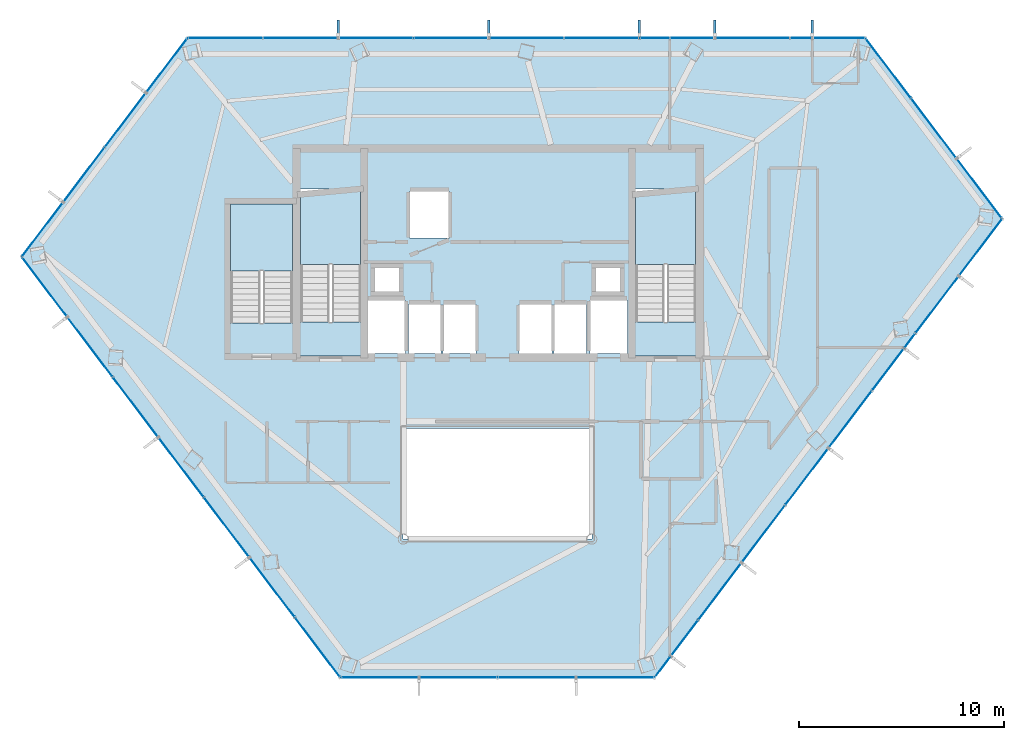
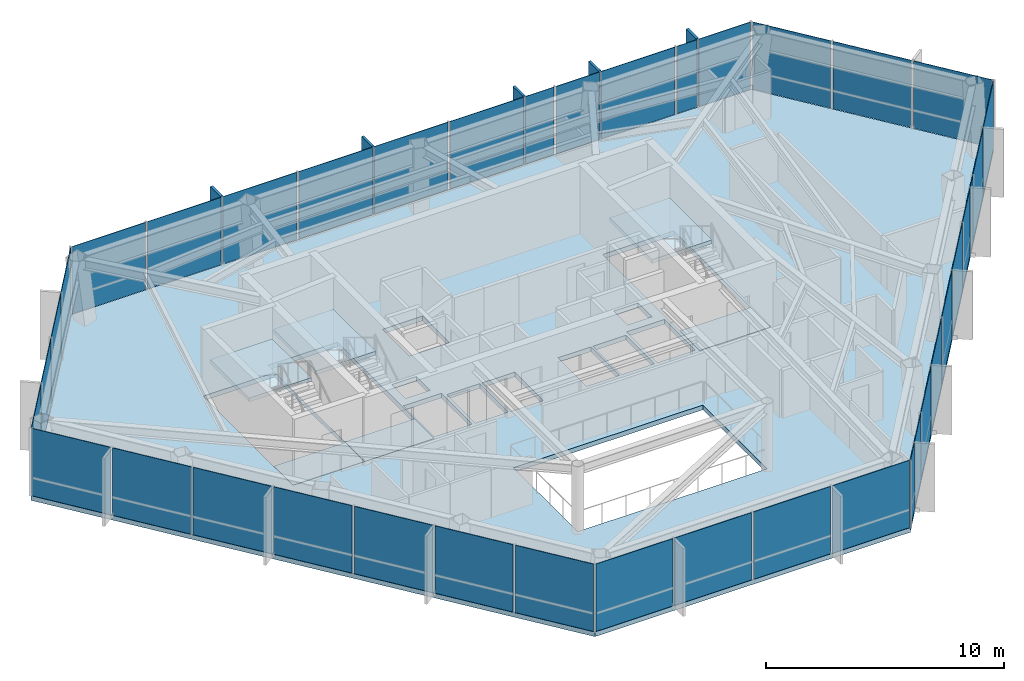
# One storey, part 23 of 27: 39 plates, 7 slabs, 5 members, 9 elements without a shape of their own.
"""IFC4 building model written with IfcOpenShell, lengths in metres."""

import ifcopenshell
import ifcopenshell.guid

model = None  # the IFC model being written
_history = None  # IfcOwnerHistory: only IFC2X3 demands one
_inside = {}  # id of a spatial element -> (the spatial element, [elements in it])
_under = {}  # id of a project, library or spatial element -> (it, [spatial elements below it])
_declared = {}  # id of a project -> (the project, [libraries it declares])
_typed = {}  # id of a type object -> (the type object, [elements of that type])
_made_of = {}  # id of a material, layer set ... -> (it, [elements and type objects made of it])


def new_model(schema):
    """Start an empty IFC model of exactly this schema.

    Asked for "IFC4X3", IfcOpenShell would pick the latest addendum, in which some entities
    have other attributes; the version numbers below select the first issue.
    IFC2X3 requires an IfcOwnerHistory on every rooted entity: one is made here for all.
    """
    global model, _history
    if schema == "IFC4X3":
        model = ifcopenshell.file(schema_version=(4, 3, 0, 0))
    else:
        model = ifcopenshell.file(schema=schema)
    _inside.clear()
    _under.clear()
    _declared.clear()
    _typed.clear()
    _made_of.clear()
    _history = None
    if model.schema == "IFC2X3":
        org = make("IfcOrganization", Name="unknown")
        user = make(
            "IfcPersonAndOrganization",
            ThePerson=make("IfcPerson", FamilyName="unknown"),
            TheOrganization=org,
        )
        app = make(
            "IfcApplication",
            ApplicationDeveloper=org,
            Version="unknown",
            ApplicationFullName="unknown",
            ApplicationIdentifier="unknown",
        )
        _history = make(
            "IfcOwnerHistory",
            OwningUser=user,
            OwningApplication=app,
            ChangeAction="ADDED",
            CreationDate=0,
        )
    return model


def make(cls, **values):
    """One entity of the class cls with the attributes given. An attribute that is None is left unset."""
    return model.create_entity(
        cls, **{name: value for name, value in values.items() if value is not None}
    )


def rooted(cls, **values):
    """An entity with a GlobalId (a new one), such as an element, a storey or a relation."""
    return make(cls, GlobalId=ifcopenshell.guid.new(), OwnerHistory=_history, **values)


def si_unit(unit_type, name, prefix=None):
    """IfcSIUnit, for example si_unit("LENGTHUNIT", "METRE", prefix="MILLI")."""
    return make("IfcSIUnit", UnitType=unit_type, Prefix=prefix, Name=name)


def assignment(units):
    """IfcUnitAssignment: the units of a project."""
    return None if units is None else make("IfcUnitAssignment", Units=units)


def point(xyz):
    """IfcCartesianPoint."""
    return None if xyz is None else make("IfcCartesianPoint", Coordinates=xyz)


def direction(xyz):
    """IfcDirection."""
    return None if xyz is None else make("IfcDirection", DirectionRatios=xyz)


def frame(location, z_axis=None, x_axis=None):
    """IfcAxis2Placement3D, a coordinate frame: its origin and axes. An axis left out is left unset."""
    return make(
        "IfcAxis2Placement3D",
        Location=point(location),
        Axis=direction(z_axis),
        RefDirection=direction(x_axis),
    )


def frame_2d(location, x_axis=None):
    """IfcAxis2Placement2D, a coordinate frame in the plane: its origin and x axis."""
    return make(
        "IfcAxis2Placement2D", Location=point(location), RefDirection=direction(x_axis)
    )


def origin():
    """The frame at (0, 0, 0) with its axes left unset."""
    return frame((0.0, 0.0, 0.0))


def origin_2d():
    """The frame at (0, 0) in the plane with its x axis left unset."""
    return frame_2d((0.0, 0.0))


def place(relative_to, where):
    """IfcLocalPlacement: puts the frame where relative to a parent placement (None: the world)."""
    return make(
        "IfcLocalPlacement", PlacementRelTo=relative_to, RelativePlacement=where
    )


def context(
    kind, dimensions, precision=None, world=None, true_north=None, identifier=None
):
    """IfcGeometricRepresentationContext, for example the 3D "Model" context."""
    return make(
        "IfcGeometricRepresentationContext",
        ContextIdentifier=identifier,
        ContextType=kind,
        CoordinateSpaceDimension=dimensions,
        Precision=precision,
        WorldCoordinateSystem=world,
        TrueNorth=true_north,
    )


def subcontext(parent, identifier, kind, view, scale=None):
    """IfcGeometricRepresentationSubContext, for example "Body" below "Model"."""
    return make(
        "IfcGeometricRepresentationSubContext",
        ContextIdentifier=identifier,
        ContextType=kind,
        ParentContext=parent,
        TargetScale=scale,
        TargetView=view,
    )


def project(units=None, contexts=None):
    """IfcProject with its units and contexts."""
    return rooted(
        "IfcProject",
        Name="project",
        RepresentationContexts=contexts,
        UnitsInContext=assignment(units),
    )


def spatial(cls, under=None, at=None, **own):
    """A site, building, storey or space (cls), placed at a placement, below another one or the project."""
    s = rooted(cls, ObjectPlacement=at, **own)
    if under is not None:
        _under.setdefault(under.id(), (under, []))[1].append(s)
    return s


def polyline(points):
    """IfcPolyline through the points."""
    return make("IfcPolyline", Points=[point(p) for p in points])


def profile(cls, at=None, kind="AREA", **sizes):
    """A parametric profile (cls). Its sizes go by their IFC names, for example OverallWidth=200.0."""
    return make(cls, ProfileType=kind, Position=at, **sizes)


def rectangle(**sizes):
    """IfcRectangleProfileDef."""
    return profile("IfcRectangleProfileDef", **sizes)


def outline(outer, holes=None, kind="AREA"):
    """IfcArbitraryClosedProfileDef: a profile drawn as a closed curve; with holes, ...WithVoids."""
    if holes is None:
        return make("IfcArbitraryClosedProfileDef", ProfileType=kind, OuterCurve=outer)
    return make(
        "IfcArbitraryProfileDefWithVoids",
        ProfileType=kind,
        OuterCurve=outer,
        InnerCurves=holes,
    )


def extrude(swept, where, along, depth):
    """IfcExtrudedAreaSolid: the profile swept, set in the frame where, extruded along a direction by depth."""
    return make(
        "IfcExtrudedAreaSolid",
        SweptArea=swept,
        Position=where,
        ExtrudedDirection=direction(along),
        Depth=depth,
    )


def shape(context_of_items, identifier, shape_type, items):
    """IfcShapeRepresentation: the items that make up one representation, for example the "Body"."""
    return make(
        "IfcShapeRepresentation",
        ContextOfItems=context_of_items,
        RepresentationIdentifier=identifier,
        RepresentationType=shape_type,
        Items=items,
    )


def material(Name=None, Category=None):
    """IfcMaterial."""
    return make("IfcMaterial", Name=Name, Category=Category)


def layer(
    of_material, thickness, ventilated=None, Name=None, Category=None, Priority=None
):
    """IfcMaterialLayer: one layer of a wall or slab, of a material (None: an air gap)."""
    return make(
        "IfcMaterialLayer",
        Material=of_material,
        LayerThickness=thickness,
        IsVentilated=ventilated,
        Name=Name,
        Category=Category,
        Priority=Priority,
    )


def layer_set(layers, Name=None):
    """IfcMaterialLayerSet."""
    return make("IfcMaterialLayerSet", MaterialLayers=layers, LayerSetName=Name)


def material_profile(
    of_material, cross_section, Name=None, Category=None, Priority=None
):
    """IfcMaterialProfile: a cross section and its material."""
    return make(
        "IfcMaterialProfile",
        Name=Name,
        Material=of_material,
        Profile=cross_section,
        Priority=Priority,
        Category=Category,
    )


def profile_set(profiles, Name=None, composite=None):
    """IfcMaterialProfileSet."""
    return make(
        "IfcMaterialProfileSet",
        Name=Name,
        MaterialProfiles=profiles,
        CompositeProfile=composite,
    )


def made_of(thing, what):
    """Note that an element or type object is made of a material, layer set ...; save() writes the relation."""
    if what is not None:
        _made_of.setdefault(what.id(), (what, []))[1].append(thing)
    return thing


def type_object(cls, material=None, **own):
    """A type object (cls), such as IfcWallType, which elements share."""
    return made_of(rooted(cls, **own), material)


def element(
    cls,
    number,
    at=None,
    inside=None,
    cuts=None,
    type_object=None,
    material=None,
    context=None,
    identifier="Body",
    shape_type=None,
    held_by="IfcProductDefinitionShape",
    body=None,
    shapes=None,
    **own,
):
    """One element of the class cls, such as IfcWall. Its Tag is "e" and its number.

    at: its placement. inside: the storey or other place that contains it. cuts: it is an
    opening in that element (IfcRelVoidsElement). A single representation is given by context,
    identifier, shape_type and body (its items); several are given by shapes. held_by: the class
    of the entity that holds the representations. save() writes the other relations.
    """
    e = rooted(cls, Tag="e%d" % number, ObjectPlacement=at, **own)
    if body is not None:
        shapes = [shape(context, identifier, shape_type, body)]
    if shapes is not None:
        e.Representation = make(held_by, Representations=shapes)
    if inside is not None:
        _inside.setdefault(inside.id(), (inside, []))[1].append(e)
    if cuts is not None:
        rooted(
            "IfcRelVoidsElement", RelatingBuildingElement=cuts, RelatedOpeningElement=e
        )
    if type_object is not None:
        _typed.setdefault(type_object.id(), (type_object, []))[1].append(e)
    return made_of(e, material)


def aggregate(whole, parts):
    """IfcRelAggregates: a whole, such as a stair, and the parts it consists of."""
    return rooted("IfcRelAggregates", RelatingObject=whole, RelatedObjects=parts)


def save(model, path):
    """Write the relations noted so far, then the file.

    IfcRelAggregates (storeys below a building ...), IfcRelContainedInSpatialStructure (elements
    in a storey), IfcRelDefinesByType, IfcRelAssociatesMaterial and IfcRelDeclares: one each for
    every whole, place, type object, material and project.
    """
    for whole, parts in _under.values():
        aggregate(whole, parts)
    for where, things in _inside.values():
        rooted(
            "IfcRelContainedInSpatialStructure",
            RelatedElements=things,
            RelatingStructure=where,
        )
    for kind, things in _typed.values():
        rooted("IfcRelDefinesByType", RelatedObjects=things, RelatingType=kind)
    for what, things in _made_of.values():
        rooted("IfcRelAssociatesMaterial", RelatedObjects=things, RelatingMaterial=what)
    for by, libraries in _declared.values():
        rooted("IfcRelDeclares", RelatingContext=by, RelatedDefinitions=libraries)
    model.write(path)


model = new_model("IFC4")

# Units and contexts
model_context = context("Model", 3, precision=1e-05, world=origin(), true_north=direction((0.0, 1.0)))
body_context = subcontext(model_context, "Body", "Model", "MODEL_VIEW")
ifc_project = project(units=[si_unit("LENGTHUNIT", "METRE"), si_unit("AREAUNIT", "SQUARE_METRE"), si_unit("VOLUMEUNIT", "CUBIC_METRE"), si_unit("PLANEANGLEUNIT", "RADIAN"), si_unit("MASSUNIT", "GRAM", prefix="KILO")], contexts=[model_context])

# Site, building, storey
site_placement = place(None, origin())
site = spatial("IfcSite", under=ifc_project, at=site_placement, CompositionType="ELEMENT")
building_placement = place(site_placement, origin())
building = spatial("IfcBuilding", under=site, at=building_placement, Name="Zarrinselat Tower", CompositionType="ELEMENT")
storey_placement = place(building_placement, frame((0.0, 0.0, 172.0400390625)))
storey = spatial("IfcBuildingStorey", under=building, at=storey_placement, Name="L42", CompositionType="ELEMENT", Elevation=172.0400390625)

# Curtain wall, members, plates
ifc_material_1 = material(Name="Extruded Aluminium Alloy EN AW-6063 T6", Category="aluminium")
ifc_layer_1 = layer(ifc_material_1, 0.175048828125)
ifc_layer_set_1 = layer_set([ifc_layer_1], Name="Extruded Aluminium Alloy EN AW-6063 T6")
curtain_wall_type = type_object("IfcCurtainWallType", Name="CWS-HTL", PredefinedType="NOTDEFINED", material=ifc_layer_set_1)
curtain_wall_1_placement = place(storey_placement, origin())
curtain_wall_1 = element("IfcCurtainWall", 1, at=curtain_wall_1_placement, inside=storey, type_object=curtain_wall_type, Name="L42 Unitised Curtain Wall CW-L42-E01", PredefinedType="NOTDEFINED")
ifc_material_2 = material(Name="Honed Cream Travertine Stone", Category="masonry")
ifc_material_profile = material_profile(ifc_material_2, rectangle(XDim=0.1201171875, YDim=0.85009765625, at=origin_2d()), Name="FIN 850x120")
ifc_profile_set = profile_set([ifc_material_profile], Name="Honed Cream Travertine Stone")
member_type = type_object("IfcMemberType", Name="MEM-STONE-FIN", PredefinedType="USERDEFINED", material=ifc_profile_set)
member_1_placement = place(storey_placement, frame((53.74609375, 49.298828125, 0.0), z_axis=(0.0, 0.0, 1.0), x_axis=(1.0, 0.0, 0.0)))
member_1 = element("IfcMember", 2, at=member_1_placement, type_object=member_type, Name="L42 Stone Shading Fin CW-L42-E01-01", ObjectType="FIN", PredefinedType="USERDEFINED", context=body_context, shape_type="SweptSolid", body=[
    extrude(rectangle(XDim=0.1201171875, YDim=0.85009765625, at=origin_2d()), origin(), (0.0, 0.0, 1.0), 3.5),
])
member_2_placement = place(storey_placement, frame((48.99755859375, 49.298828125, 0.0), z_axis=(0.0, 0.0, 1.0), x_axis=(1.0, 0.0, 0.0)))
member_2 = element("IfcMember", 3, at=member_2_placement, type_object=member_type, Name="L42 Stone Shading Fin CW-L42-E01-03", ObjectType="FIN", PredefinedType="USERDEFINED", context=body_context, shape_type="SweptSolid", body=[
    extrude(rectangle(XDim=0.1201171875, YDim=0.85009765625, at=origin_2d()), origin(), (0.0, 0.0, 1.0), 3.5),
])
member_3_placement = place(storey_placement, frame((45.322998046875, 49.298828125, 0.0), z_axis=(0.0, 0.0, 1.0), x_axis=(1.0, 0.0, 0.0)))
member_3 = element("IfcMember", 4, at=member_3_placement, type_object=member_type, Name="L42 Stone Shading Fin CW-L42-E01-05", ObjectType="FIN", PredefinedType="USERDEFINED", context=body_context, shape_type="SweptSolid", body=[
    extrude(rectangle(XDim=0.1201171875, YDim=0.85009765625, at=origin_2d()), origin(), (0.0, 0.0, 1.0), 3.5),
])
member_4_placement = place(storey_placement, frame((37.973876953125, 49.298828125, 0.0), z_axis=(0.0, 0.0, 1.0), x_axis=(1.0, 0.0, 0.0)))
member_4 = element("IfcMember", 5, at=member_4_placement, type_object=member_type, Name="L42 Stone Shading Fin CW-L42-E01-07", ObjectType="FIN", PredefinedType="USERDEFINED", context=body_context, shape_type="SweptSolid", body=[
    extrude(rectangle(XDim=0.1201171875, YDim=0.85009765625, at=origin_2d()), origin(), (0.0, 0.0, 1.0), 3.5),
])
member_5_placement = place(storey_placement, frame((30.62451171875, 49.298828125, 0.0), z_axis=(0.0, 0.0, 1.0), x_axis=(1.0, 0.0, 0.0)))
member_5 = element("IfcMember", 6, at=member_5_placement, type_object=member_type, Name="L42 Stone Shading Fin CW-L42-E01-09", ObjectType="FIN", PredefinedType="USERDEFINED", context=body_context, shape_type="SweptSolid", body=[
    extrude(rectangle(XDim=0.1201171875, YDim=0.85009765625, at=origin_2d()), origin(), (0.0, 0.0, 1.0), 3.5),
])
ifc_material_3 = material(Name="Double Low-E Laminated Solar Glass", Category="glass")
ifc_layer_2 = layer(ifc_material_3, 0.028076171875)
ifc_layer_set_2 = layer_set([ifc_layer_2], Name="Double Low-E Laminated Solar Glass")
plate_type = type_object("IfcPlateType", Name="PLT-CW-GL28", PredefinedType="CURTAIN_PANEL", material=ifc_layer_set_2)
plate_1_placement = place(storey_placement, frame((55.04638671875, 48.8388671875, 0.02001953125), z_axis=(0.0, 0.0, 1.0), x_axis=(-1.0, 0.0, 0.0)))
plate_1 = element("IfcPlate", 7, at=plate_1_placement, type_object=plate_type, Name="CW-L42-E01 Vision Glass Panel 1", PredefinedType="CURTAIN_PANEL", context=body_context, shape_type="SweptSolid", body=[
    extrude(rectangle(XDim=2.500732421875, YDim=0.028076171875, at=origin_2d()), origin(), (0.0, 0.0, 1.0), 3.4599609375),
])
plate_2_placement = place(storey_placement, frame((53.208984375, 48.8388671875, 0.02001953125), z_axis=(0.0, 0.0, 1.0), x_axis=(-1.0, 0.0, 0.0)))
plate_2 = element("IfcPlate", 8, at=plate_2_placement, type_object=plate_type, Name="CW-L42-E01 Vision Glass Panel 2", PredefinedType="CURTAIN_PANEL", context=body_context, shape_type="SweptSolid", body=[
    extrude(rectangle(XDim=0.973876953125, YDim=0.028076171875, at=origin_2d()), origin(), (0.0, 0.0, 1.0), 3.4599609375),
])
plate_3_placement = place(storey_placement, frame((50.834716796875, 48.8388671875, 0.02001953125), z_axis=(0.0, 0.0, 1.0), x_axis=(-1.0, 0.0, 0.0)))
plate_3 = element("IfcPlate", 9, at=plate_3_placement, type_object=plate_type, Name="CW-L42-E01 Vision Glass Panel 3", PredefinedType="CURTAIN_PANEL", context=body_context, shape_type="SweptSolid", body=[
    extrude(rectangle(XDim=3.57470703125, YDim=0.028076171875, at=origin_2d()), origin(), (0.0, 0.0, 1.0), 3.4599609375),
])
plate_4_placement = place(storey_placement, frame((47.898681640625, 48.8388671875, 0.02001953125), z_axis=(0.0, 0.0, 1.0), x_axis=(-1.0, 0.0, 0.0)))
plate_4 = element("IfcPlate", 10, at=plate_4_placement, type_object=plate_type, Name="CW-L42-E01 Vision Glass Panel 4", PredefinedType="CURTAIN_PANEL", context=body_context, shape_type="SweptSolid", body=[
    extrude(rectangle(XDim=2.097412109375, YDim=0.028076171875, at=origin_2d()), origin(), (0.0, 0.0, 1.0), 3.4599609375),
])
plate_5_placement = place(storey_placement, frame((46.0615234375, 48.8388671875, 0.02001953125), z_axis=(0.0, 0.0, 1.0), x_axis=(-1.0, 0.0, 0.0)))
plate_5 = element("IfcPlate", 11, at=plate_5_placement, type_object=plate_type, Name="CW-L42-E01 Vision Glass Panel 5", PredefinedType="CURTAIN_PANEL", context=body_context, shape_type="SweptSolid", body=[
    extrude(rectangle(XDim=1.377197265625, YDim=0.028076171875, at=origin_2d()), origin(), (0.0, 0.0, 1.0), 3.4599609375),
])
plate_6_placement = place(storey_placement, frame((43.485595703125, 48.8388671875, 0.02001953125), z_axis=(0.0, 0.0, 1.0), x_axis=(-1.0, 0.0, 0.0)))
plate_6 = element("IfcPlate", 12, at=plate_6_placement, type_object=plate_type, Name="CW-L42-E01 Vision Glass Panel 6", PredefinedType="CURTAIN_PANEL", context=body_context, shape_type="SweptSolid", body=[
    extrude(rectangle(XDim=3.57470703125, YDim=0.028076171875, at=origin_2d()), origin(), (0.0, 0.0, 1.0), 3.4599609375),
])
plate_7_placement = place(storey_placement, frame((39.81103515625, 48.8388671875, 0.02001953125), z_axis=(0.0, 0.0, 1.0), x_axis=(-1.0, 0.0, 0.0)))
plate_7 = element("IfcPlate", 13, at=plate_7_placement, type_object=plate_type, Name="CW-L42-E01 Vision Glass Panel 7", PredefinedType="CURTAIN_PANEL", context=body_context, shape_type="SweptSolid", body=[
    extrude(rectangle(XDim=3.57470703125, YDim=0.028076171875, at=origin_2d()), origin(), (0.0, 0.0, 1.0), 3.4599609375),
])
plate_8_placement = place(storey_placement, frame((36.136474609375, 48.8388671875, 0.02001953125), z_axis=(0.0, 0.0, 1.0), x_axis=(-1.0, 0.0, 0.0)))
plate_8 = element("IfcPlate", 14, at=plate_8_placement, type_object=plate_type, Name="CW-L42-E01 Vision Glass Panel 8", PredefinedType="CURTAIN_PANEL", context=body_context, shape_type="SweptSolid", body=[
    extrude(rectangle(XDim=3.57470703125, YDim=0.028076171875, at=origin_2d()), origin(), (0.0, 0.0, 1.0), 3.4599609375),
])
plate_9_placement = place(storey_placement, frame((32.4619140625, 48.8388671875, 0.02001953125), z_axis=(0.0, 0.0, 1.0), x_axis=(-1.0, 0.0, 0.0)))
plate_9 = element("IfcPlate", 15, at=plate_9_placement, type_object=plate_type, Name="CW-L42-E01 Vision Glass Panel 9", PredefinedType="CURTAIN_PANEL", context=body_context, shape_type="SweptSolid", body=[
    extrude(rectangle(XDim=3.57470703125, YDim=0.028076171875, at=origin_2d()), origin(), (0.0, 0.0, 1.0), 3.4599609375),
])
plate_10_placement = place(storey_placement, frame((28.787353515625, 48.8388671875, 0.02001953125), z_axis=(0.0, 0.0, 1.0), x_axis=(-1.0, 0.0, 0.0)))
plate_10 = element("IfcPlate", 16, at=plate_10_placement, type_object=plate_type, Name="CW-L42-E01 Vision Glass Panel 10", PredefinedType="CURTAIN_PANEL", context=body_context, shape_type="SweptSolid", body=[
    extrude(rectangle(XDim=3.57470703125, YDim=0.028076171875, at=origin_2d()), origin(), (0.0, 0.0, 1.0), 3.4599609375),
])
plate_11_placement = place(storey_placement, frame((25.11279296875, 48.8388671875, 0.02001953125), z_axis=(0.0, 0.0, 1.0), x_axis=(-1.0, 0.0, 0.0)))
plate_11 = element("IfcPlate", 17, at=plate_11_placement, type_object=plate_type, Name="CW-L42-E01 Vision Glass Panel 11", PredefinedType="CURTAIN_PANEL", context=body_context, shape_type="SweptSolid", body=[
    extrude(rectangle(XDim=3.57470703125, YDim=0.028076171875, at=origin_2d()), origin(), (0.0, 0.0, 1.0), 3.4599609375),
])
aggregate(curtain_wall_1, [member_1, member_2, member_3, member_4, member_5, plate_1, plate_2, plate_3, plate_4, plate_5, plate_6, plate_7, plate_8, plate_9, plate_10, plate_11])

# Curtain wall, plates
curtain_wall_2_placement = place(storey_placement, origin())
curtain_wall_2 = element("IfcCurtainWall", 18, at=curtain_wall_2_placement, inside=storey, type_object=curtain_wall_type, Name="L42 Unitised Curtain Wall CW-L42-E02", PredefinedType="NOTDEFINED")
plate_12_placement = place(storey_placement, frame((22.26513671875, 47.50537109375, 0.02001953125), z_axis=(0.0, 0.0, 1.0), x_axis=(-0.603854523079, -0.797094545808, 0.0)))
plate_12 = element("IfcPlate", 19, at=plate_12_placement, type_object=plate_type, Name="CW-L42-E02 Vision Glass Panel 1", PredefinedType="CURTAIN_PANEL", context=body_context, shape_type="SweptSolid", body=[
    extrude(rectangle(XDim=3.245849609375, YDim=0.028076171875, at=origin_2d()), origin(), (0.0, 0.0, 1.0), 3.4599609375),
])
plate_13_placement = place(storey_placement, frame((20.244873046875, 44.83837890625, 0.02001953125), z_axis=(0.0, 0.0, 1.0), x_axis=(-0.603854523079, -0.797094545808, 0.0)))
plate_13 = element("IfcPlate", 20, at=plate_13_placement, type_object=plate_type, Name="CW-L42-E02 Vision Glass Panel 2", PredefinedType="CURTAIN_PANEL", context=body_context, shape_type="SweptSolid", body=[
    extrude(rectangle(XDim=3.245849609375, YDim=0.028076171875, at=origin_2d()), origin(), (0.0, 0.0, 1.0), 3.4599609375),
])
plate_14_placement = place(storey_placement, frame((18.224365234375, 42.17138671875, 0.02001953125), z_axis=(0.0, 0.0, 1.0), x_axis=(-0.603854523079, -0.797094545808, 0.0)))
plate_14 = element("IfcPlate", 21, at=plate_14_placement, type_object=plate_type, Name="CW-L42-E02 Vision Glass Panel 3", PredefinedType="CURTAIN_PANEL", context=body_context, shape_type="SweptSolid", body=[
    extrude(rectangle(XDim=3.245849609375, YDim=0.028076171875, at=origin_2d()), origin(), (0.0, 0.0, 1.0), 3.4599609375),
])
plate_15_placement = place(storey_placement, frame((16.2041015625, 39.504638671875, 0.02001953125), z_axis=(0.0, 0.0, 1.0), x_axis=(-0.603854523079, -0.797094545808, 0.0)))
plate_15 = element("IfcPlate", 22, at=plate_15_placement, type_object=plate_type, Name="CW-L42-E02 Vision Glass Panel 4", PredefinedType="CURTAIN_PANEL", context=body_context, shape_type="SweptSolid", body=[
    extrude(rectangle(XDim=3.245849609375, YDim=0.028076171875, at=origin_2d()), origin(), (0.0, 0.0, 1.0), 3.4599609375),
])
aggregate(curtain_wall_2, [plate_12, plate_13, plate_14, plate_15])

curtain_wall_3_placement = place(storey_placement, origin())
curtain_wall_3 = element("IfcCurtainWall", 23, at=curtain_wall_3_placement, inside=storey, type_object=curtain_wall_type, Name="L42 Unitised Curtain Wall CW-L42-E03", PredefinedType="NOTDEFINED")
plate_16_placement = place(storey_placement, frame((16.30419921875, 36.70556640625, 0.02001953125), z_axis=(0.0, 0.0, 1.0), x_axis=(0.603857987184, -0.797091921496, 0.0)))
plate_16 = element("IfcPlate", 24, at=plate_16_placement, type_object=plate_type, Name="CW-L42-E03 Vision Glass Panel 1", PredefinedType="CURTAIN_PANEL", context=body_context, shape_type="SweptSolid", body=[
    extrude(rectangle(XDim=3.577392578125, YDim=0.028076171875, at=origin_2d()), origin(), (0.0, 0.0, 1.0), 3.4599609375),
])
plate_17_placement = place(storey_placement, frame((18.524658203125, 33.7744140625, 0.02001953125), z_axis=(0.0, 0.0, 1.0), x_axis=(0.603857987184, -0.797091921496, 0.0)))
plate_17 = element("IfcPlate", 25, at=plate_17_placement, type_object=plate_type, Name="CW-L42-E03 Vision Glass Panel 2", PredefinedType="CURTAIN_PANEL", context=body_context, shape_type="SweptSolid", body=[
    extrude(rectangle(XDim=3.577392578125, YDim=0.028076171875, at=origin_2d()), origin(), (0.0, 0.0, 1.0), 3.4599609375),
])
plate_18_placement = place(storey_placement, frame((20.7451171875, 30.84326171875, 0.02001953125), z_axis=(0.0, 0.0, 1.0), x_axis=(0.603857987184, -0.797091921496, 0.0)))
plate_18 = element("IfcPlate", 26, at=plate_18_placement, type_object=plate_type, Name="CW-L42-E03 Vision Glass Panel 3", PredefinedType="CURTAIN_PANEL", context=body_context, shape_type="SweptSolid", body=[
    extrude(rectangle(XDim=3.577392578125, YDim=0.028076171875, at=origin_2d()), origin(), (0.0, 0.0, 1.0), 3.4599609375),
])
plate_19_placement = place(storey_placement, frame((22.9658203125, 27.912109375, 0.02001953125), z_axis=(0.0, 0.0, 1.0), x_axis=(0.603857987184, -0.797091921496, 0.0)))
plate_19 = element("IfcPlate", 27, at=plate_19_placement, type_object=plate_type, Name="CW-L42-E03 Vision Glass Panel 4", PredefinedType="CURTAIN_PANEL", context=body_context, shape_type="SweptSolid", body=[
    extrude(rectangle(XDim=3.577392578125, YDim=0.028076171875, at=origin_2d()), origin(), (0.0, 0.0, 1.0), 3.4599609375),
])
plate_20_placement = place(storey_placement, frame((25.186279296875, 24.981201171875, 0.02001953125), z_axis=(0.0, 0.0, 1.0), x_axis=(0.603857987184, -0.797091921496, 0.0)))
plate_20 = element("IfcPlate", 28, at=plate_20_placement, type_object=plate_type, Name="CW-L42-E03 Vision Glass Panel 5", PredefinedType="CURTAIN_PANEL", context=body_context, shape_type="SweptSolid", body=[
    extrude(rectangle(XDim=3.577392578125, YDim=0.028076171875, at=origin_2d()), origin(), (0.0, 0.0, 1.0), 3.4599609375),
])
plate_21_placement = place(storey_placement, frame((27.40673828125, 22.050048828125, 0.02001953125), z_axis=(0.0, 0.0, 1.0), x_axis=(0.603857987184, -0.797091921496, 0.0)))
plate_21 = element("IfcPlate", 29, at=plate_21_placement, type_object=plate_type, Name="CW-L42-E03 Vision Glass Panel 6", PredefinedType="CURTAIN_PANEL", context=body_context, shape_type="SweptSolid", body=[
    extrude(rectangle(XDim=3.577392578125, YDim=0.028076171875, at=origin_2d()), origin(), (0.0, 0.0, 1.0), 3.4599609375),
])
plate_22_placement = place(storey_placement, frame((29.627197265625, 19.118896484375, 0.02001953125), z_axis=(0.0, 0.0, 1.0), x_axis=(0.603857987184, -0.797091921496, 0.0)))
plate_22 = element("IfcPlate", 30, at=plate_22_placement, type_object=plate_type, Name="CW-L42-E03 Vision Glass Panel 7", PredefinedType="CURTAIN_PANEL", context=body_context, shape_type="SweptSolid", body=[
    extrude(rectangle(XDim=3.577392578125, YDim=0.028076171875, at=origin_2d()), origin(), (0.0, 0.0, 1.0), 3.4599609375),
])
aggregate(curtain_wall_3, [plate_16, plate_17, plate_18, plate_19, plate_20, plate_21, plate_22])

curtain_wall_4_placement = place(storey_placement, origin())
curtain_wall_4 = element("IfcCurtainWall", 31, at=curtain_wall_4_placement, inside=storey, type_object=curtain_wall_type, Name="L42 Unitised Curtain Wall CW-L42-E04", PredefinedType="NOTDEFINED")
plate_23_placement = place(storey_placement, frame((32.6533203125, 17.6533203125, 0.02001953125), z_axis=(0.0, 0.0, 1.0), x_axis=(1.0, 0.0, 0.0)))
plate_23 = element("IfcPlate", 32, at=plate_23_placement, type_object=plate_type, Name="CW-L42-E04 Vision Glass Panel 1", PredefinedType="CURTAIN_PANEL", context=body_context, shape_type="SweptSolid", body=[
    extrude(rectangle(XDim=3.731201171875, YDim=0.028076171875, at=origin_2d()), origin(), (0.0, 0.0, 1.0), 3.4599609375),
])
plate_24_placement = place(storey_placement, frame((36.484375, 17.6533203125, 0.02001953125), z_axis=(0.0, 0.0, 1.0), x_axis=(1.0, 0.0, 0.0)))
plate_24 = element("IfcPlate", 33, at=plate_24_placement, type_object=plate_type, Name="CW-L42-E04 Vision Glass Panel 2", PredefinedType="CURTAIN_PANEL", context=body_context, shape_type="SweptSolid", body=[
    extrude(rectangle(XDim=3.731201171875, YDim=0.028076171875, at=origin_2d()), origin(), (0.0, 0.0, 1.0), 3.4599609375),
])
plate_25_placement = place(storey_placement, frame((40.315673828125, 17.6533203125, 0.02001953125), z_axis=(0.0, 0.0, 1.0), x_axis=(1.0, 0.0, 0.0)))
plate_25 = element("IfcPlate", 34, at=plate_25_placement, type_object=plate_type, Name="CW-L42-E04 Vision Glass Panel 3", PredefinedType="CURTAIN_PANEL", context=body_context, shape_type="SweptSolid", body=[
    extrude(rectangle(XDim=3.731201171875, YDim=0.028076171875, at=origin_2d()), origin(), (0.0, 0.0, 1.0), 3.4599609375),
])
plate_26_placement = place(storey_placement, frame((44.146728515625, 17.6533203125, 0.02001953125), z_axis=(0.0, 0.0, 1.0), x_axis=(1.0, 0.0, 0.0)))
plate_26 = element("IfcPlate", 35, at=plate_26_placement, type_object=plate_type, Name="CW-L42-E04 Vision Glass Panel 4", PredefinedType="CURTAIN_PANEL", context=body_context, shape_type="SweptSolid", body=[
    extrude(rectangle(XDim=3.731201171875, YDim=0.028076171875, at=origin_2d()), origin(), (0.0, 0.0, 1.0), 3.4599609375),
])
aggregate(curtain_wall_4, [plate_23, plate_24, plate_25, plate_26])

curtain_wall_5_placement = place(storey_placement, origin())
curtain_wall_5 = element("IfcCurtainWall", 36, at=curtain_wall_5_placement, inside=storey, type_object=curtain_wall_type, Name="L42 Unitised Curtain Wall CW-L42-E05", PredefinedType="NOTDEFINED")
plate_27_placement = place(storey_placement, frame((46.455078125, 18.171630859375, 0.02001953125), z_axis=(0.0, 0.0, 1.0), x_axis=(0.603858853713, 0.797091265033, 0.0)))
plate_27 = element("IfcPlate", 37, at=plate_27_placement, type_object=plate_type, Name="CW-L42-E05 Vision Glass Panel 1", PredefinedType="CURTAIN_PANEL", context=body_context, shape_type="SweptSolid", body=[
    extrude(rectangle(XDim=1.20068359375, YDim=0.028076171875, at=origin_2d()), origin(), (0.0, 0.0, 1.0), 3.4599609375),
])
plate_28_placement = place(storey_placement, frame((47.514892578125, 19.570556640625, 0.02001953125), z_axis=(0.0, 0.0, 1.0), x_axis=(0.603858853713, 0.797091265033, 0.0)))
plate_28 = element("IfcPlate", 38, at=plate_28_placement, type_object=plate_type, Name="CW-L42-E05 Vision Glass Panel 2", PredefinedType="CURTAIN_PANEL", context=body_context, shape_type="SweptSolid", body=[
    extrude(rectangle(XDim=2.10888671875, YDim=0.028076171875, at=origin_2d()), origin(), (0.0, 0.0, 1.0), 3.4599609375),
])
plate_29_placement = place(storey_placement, frame((49.241455078125, 21.849609375, 0.02001953125), z_axis=(0.0, 0.0, 1.0), x_axis=(0.603858853713, 0.797091265033, 0.0)))
plate_29 = element("IfcPlate", 39, at=plate_29_placement, type_object=plate_type, Name="CW-L42-E05 Vision Glass Panel 3", PredefinedType="CURTAIN_PANEL", context=body_context, shape_type="SweptSolid", body=[
    extrude(rectangle(XDim=3.40966796875, YDim=0.028076171875, at=origin_2d()), origin(), (0.0, 0.0, 1.0), 3.4599609375),
])
plate_30_placement = place(storey_placement, frame((51.36083984375, 24.647216796875, 0.02001953125), z_axis=(0.0, 0.0, 1.0), x_axis=(0.603858853713, 0.797091265033, 0.0)))
plate_30 = element("IfcPlate", 40, at=plate_30_placement, type_object=plate_type, Name="CW-L42-E05 Vision Glass Panel 4", PredefinedType="CURTAIN_PANEL", context=body_context, shape_type="SweptSolid", body=[
    extrude(rectangle(XDim=3.40966796875, YDim=0.028076171875, at=origin_2d()), origin(), (0.0, 0.0, 1.0), 3.4599609375),
])
plate_31_placement = place(storey_placement, frame((53.480224609375, 27.444580078125, 0.02001953125), z_axis=(0.0, 0.0, 1.0), x_axis=(0.603858853713, 0.797091265033, 0.0)))
plate_31 = element("IfcPlate", 41, at=plate_31_placement, type_object=plate_type, Name="CW-L42-E05 Vision Glass Panel 5", PredefinedType="CURTAIN_PANEL", context=body_context, shape_type="SweptSolid", body=[
    extrude(rectangle(XDim=3.40966796875, YDim=0.028076171875, at=origin_2d()), origin(), (0.0, 0.0, 1.0), 3.4599609375),
])
plate_32_placement = place(storey_placement, frame((55.599609375, 30.2421875, 0.02001953125), z_axis=(0.0, 0.0, 1.0), x_axis=(0.603858853713, 0.797091265033, 0.0)))
plate_32 = element("IfcPlate", 42, at=plate_32_placement, type_object=plate_type, Name="CW-L42-E05 Vision Glass Panel 6", PredefinedType="CURTAIN_PANEL", context=body_context, shape_type="SweptSolid", body=[
    extrude(rectangle(XDim=3.40966796875, YDim=0.028076171875, at=origin_2d()), origin(), (0.0, 0.0, 1.0), 3.4599609375),
])
plate_33_placement = place(storey_placement, frame((57.4453125, 32.6787109375, 0.02001953125), z_axis=(0.0, 0.0, 1.0), x_axis=(0.603858853713, 0.797091265033, 0.0)))
plate_33 = element("IfcPlate", 43, at=plate_33_placement, type_object=plate_type, Name="CW-L42-E05 Vision Glass Panel 7", PredefinedType="CURTAIN_PANEL", context=body_context, shape_type="SweptSolid", body=[
    extrude(rectangle(XDim=2.503662109375, YDim=0.028076171875, at=origin_2d()), origin(), (0.0, 0.0, 1.0), 3.4599609375),
])
plate_34_placement = place(storey_placement, frame((58.5048828125, 34.077392578125, 0.02001953125), z_axis=(0.0, 0.0, 1.0), x_axis=(0.603858853713, 0.797091265033, 0.0)))
plate_34 = element("IfcPlate", 44, at=plate_34_placement, type_object=plate_type, Name="CW-L42-E05 Vision Glass Panel 8", PredefinedType="CURTAIN_PANEL", context=body_context, shape_type="SweptSolid", body=[
    extrude(rectangle(XDim=0.80615234375, YDim=0.028076171875, at=origin_2d()), origin(), (0.0, 0.0, 1.0), 3.4599609375),
])
plate_35_placement = place(storey_placement, frame((59.83837890625, 35.83740234375, 0.02001953125), z_axis=(0.0, 0.0, 1.0), x_axis=(0.603858853713, 0.797091265033, 0.0)))
plate_35 = element("IfcPlate", 45, at=plate_35_placement, type_object=plate_type, Name="CW-L42-E05 Vision Glass Panel 9", PredefinedType="CURTAIN_PANEL", context=body_context, shape_type="SweptSolid", body=[
    extrude(rectangle(XDim=3.40966796875, YDim=0.028076171875, at=origin_2d()), origin(), (0.0, 0.0, 1.0), 3.4599609375),
])
plate_36_placement = place(storey_placement, frame((61.95751953125, 38.635009765625, 0.02001953125), z_axis=(0.0, 0.0, 1.0), x_axis=(0.603858853713, 0.797091265033, 0.0)))
plate_36 = element("IfcPlate", 46, at=plate_36_placement, type_object=plate_type, Name="CW-L42-E05 Vision Glass Panel 10", PredefinedType="CURTAIN_PANEL", context=body_context, shape_type="SweptSolid", body=[
    extrude(rectangle(XDim=3.40966796875, YDim=0.028076171875, at=origin_2d()), origin(), (0.0, 0.0, 1.0), 3.4599609375),
])
aggregate(curtain_wall_5, [plate_27, plate_28, plate_29, plate_30, plate_31, plate_32, plate_33, plate_34, plate_35, plate_36])

curtain_wall_6_placement = place(storey_placement, origin())
curtain_wall_6 = element("IfcCurtainWall", 47, at=curtain_wall_6_placement, inside=storey, type_object=curtain_wall_type, Name="L42 Unitised Curtain Wall CW-L42-E06", PredefinedType="NOTDEFINED")
plate_37_placement = place(storey_placement, frame((61.905517578125, 41.501220703125, 0.02001953125), z_axis=(0.0, 0.0, 1.0), x_axis=(-0.603857339419, 0.797092412227, 0.0)))
plate_37 = element("IfcPlate", 48, at=plate_37_placement, type_object=plate_type, Name="CW-L42-E06 Vision Glass Panel 1", PredefinedType="CURTAIN_PANEL", context=body_context, shape_type="SweptSolid", body=[
    extrude(rectangle(XDim=3.582275390625, YDim=0.028076171875, at=origin_2d()), origin(), (0.0, 0.0, 1.0), 3.4599609375),
])
plate_38_placement = place(storey_placement, frame((59.681884765625, 44.436279296875, 0.02001953125), z_axis=(0.0, 0.0, 1.0), x_axis=(-0.603857339419, 0.797092412227, 0.0)))
plate_38 = element("IfcPlate", 49, at=plate_38_placement, type_object=plate_type, Name="CW-L42-E06 Vision Glass Panel 2", PredefinedType="CURTAIN_PANEL", context=body_context, shape_type="SweptSolid", body=[
    extrude(rectangle(XDim=3.582275390625, YDim=0.028076171875, at=origin_2d()), origin(), (0.0, 0.0, 1.0), 3.4599609375),
])
plate_39_placement = place(storey_placement, frame((57.45849609375, 47.371337890625, 0.02001953125), z_axis=(0.0, 0.0, 1.0), x_axis=(-0.603857339419, 0.797092412227, 0.0)))
plate_39 = element("IfcPlate", 50, at=plate_39_placement, type_object=plate_type, Name="CW-L42-E06 Vision Glass Panel 3", PredefinedType="CURTAIN_PANEL", context=body_context, shape_type="SweptSolid", body=[
    extrude(rectangle(XDim=3.582275390625, YDim=0.028076171875, at=origin_2d()), origin(), (0.0, 0.0, 1.0), 3.4599609375),
])
aggregate(curtain_wall_6, [plate_37, plate_38, plate_39])

# Slabs
ifc_material_4 = material(Name="Concrete C40/50", Category="concrete")
ifc_layer_3 = layer(ifc_material_4, 0.239990234375)
ifc_layer_set_3 = layer_set([ifc_layer_3], Name="Concrete C40/50")
slab_type_1 = type_object("IfcSlabType", Name="SLB-FLOOR-240-SL-HT240", PredefinedType="FLOOR", material=ifc_layer_set_3)
slab_1_placement = place(storey_placement, frame((0.0, 0.0, -0.239990234375)))
element("IfcSlab", 51, at=slab_1_placement, inside=storey, type_object=slab_type_1, Name="L42 Primary Structural Slab", PredefinedType="FLOOR", context=body_context, shape_type="SweptSolid", body=[
    extrude(outline(polyline([(56.3466796875, 48.8388671875), (23.275390625, 48.8388671875), (15.19384765625, 38.171142578125), (30.737548828125, 17.6533203125), (46.0625, 17.6533203125), (63.017333984375, 40.03369140625), (56.3466796875, 48.8388671875)]), holes=[polyline([(35.64990234375, 33.449951171875), (34.050048828125, 33.449951171875), (34.050048828125, 35.85009765625), (35.64990234375, 35.85009765625), (35.64990234375, 33.449951171875)]), polyline([(35.75, 33.449951171875), (35.75, 35.85009765625), (37.35009765625, 35.85009765625), (37.35009765625, 33.449951171875), (35.75, 33.449951171875)]), polyline([(32.06005859375, 33.449951171875), (32.06005859375, 36.050048828125), (33.89990234375, 36.050048828125), (33.89990234375, 33.449951171875), (32.06005859375, 33.449951171875)]), polyline([(33.60009765625, 36.47998046875), (32.419921875, 36.47998046875), (32.419921875, 37.639892578125), (33.60009765625, 37.639892578125), (33.60009765625, 36.47998046875)]), polyline([(28.594970703125, 33.324951171875), (25.114990234375, 33.324951171875), (25.114990234375, 40.875), (28.594970703125, 40.875), (28.594970703125, 33.324951171875)]), polyline([(31.985107421875, 33.324951171875), (28.60498046875, 33.324951171875), (28.60498046875, 41.47509765625), (31.985107421875, 41.47509765625), (31.985107421875, 33.324951171875)]), polyline([(36.050048828125, 39.10009765625), (34.10009765625, 39.10009765625), (34.10009765625, 41.35009765625), (36.050048828125, 41.35009765625), (36.050048828125, 39.10009765625)]), polyline([(33.800048828125, 24.39990234375), (33.800048828125, 29.800048828125), (43.0, 29.800048828125), (43.0, 24.39990234375), (33.800048828125, 24.39990234375)]), polyline([(39.449951171875, 33.449951171875), (39.449951171875, 35.85009765625), (41.050048828125, 35.85009765625), (41.050048828125, 33.449951171875), (39.449951171875, 33.449951171875)]), polyline([(41.14990234375, 33.449951171875), (41.14990234375, 35.85009765625), (42.75, 35.85009765625), (42.75, 33.449951171875), (41.14990234375, 33.449951171875)]), polyline([(42.89990234375, 33.449951171875), (42.89990234375, 36.050048828125), (44.739990234375, 36.050048828125), (44.739990234375, 33.449951171875), (42.89990234375, 33.449951171875)]), polyline([(43.199951171875, 36.47998046875), (43.199951171875, 37.639892578125), (44.3798828125, 37.639892578125), (44.3798828125, 36.47998046875), (43.199951171875, 36.47998046875)]), polyline([(48.324951171875, 33.324951171875), (44.875, 33.324951171875), (44.875, 41.47509765625), (48.324951171875, 41.47509765625), (48.324951171875, 33.324951171875)])]), origin(), (0.0, 0.0, 1.0), 0.239990234375),
])
slab_2_placement = place(storey_placement, frame((0.0, 0.0, -0.239990234375)))
element("IfcSlab", 52, at=slab_2_placement, inside=storey, type_object=slab_type_1, Name="L42 Stair ST-1-FL1 Structural Floor Landing", PredefinedType="FLOOR", context=body_context, shape_type="SweptSolid", body=[
    extrude(outline(polyline([(31.97998046875, 33.330078125), (31.97998046875, 35.0), (28.610107421875, 35.0), (28.610107421875, 33.330078125), (31.97998046875, 33.330078125)])), origin(), (0.0, 0.0, 1.0), 0.239990234375),
])
slab_3_placement = place(storey_placement, frame((0.0, 0.0, -0.239990234375)))
element("IfcSlab", 53, at=slab_3_placement, inside=storey, type_object=slab_type_1, Name="L42 Stair ST-2-FL1 Structural Floor Landing", PredefinedType="FLOOR", context=body_context, shape_type="SweptSolid", body=[
    extrude(outline(polyline([(48.320068359375, 33.330078125), (48.320068359375, 35.0), (44.8798828125, 35.0), (44.8798828125, 33.330078125), (48.320068359375, 33.330078125)])), origin(), (0.0, 0.0, 1.0), 0.239990234375),
])
slab_4_placement = place(storey_placement, frame((0.0, 0.0, -0.239990234375)))
element("IfcSlab", 54, at=slab_4_placement, inside=storey, type_object=slab_type_1, Name="L42 Stair ST-3-FL1 Structural Floor Landing", PredefinedType="FLOOR", context=body_context, shape_type="SweptSolid", body=[
    extrude(outline(polyline([(28.590087890625, 33.330078125), (28.590087890625, 34.949951171875), (25.1201171875, 34.949951171875), (25.1201171875, 33.330078125), (28.590087890625, 33.330078125)])), origin(), (0.0, 0.0, 1.0), 0.239990234375),
])

# Stair, slab
ifc_material_5 = material(Name="Concrete C40/50", Category="concrete")
stair_type_1 = type_object("IfcStairType", Name="STR-CORE-145", PredefinedType="HALF_TURN_STAIR", material=ifc_material_5)
stair_1_placement = place(storey_placement, origin())
stair_1 = element("IfcStair", 55, at=stair_1_placement, inside=storey, type_object=stair_type_1, Name="L42 Podium & Mid-Tower Exit Stair 3", PredefinedType="HALF_TURN_STAIR")
ifc_material_6 = material(Name="Concrete C40/50", Category="concrete")
ifc_layer_4 = layer(ifc_material_6, 0.1650390625)
ifc_layer_set_4 = layer_set([ifc_layer_4], Name="Concrete C40/50")
slab_type_2 = type_object("IfcSlabType", Name="SLB-LND-165", PredefinedType="LANDING", material=ifc_layer_set_4)
slab_5_placement = place(storey_placement, frame((0.0, 0.0, 1.669921875)))
slab_5 = element("IfcSlab", 56, at=slab_5_placement, type_object=slab_type_2, Name="ST-3 landing 1", PredefinedType="LANDING", context=body_context, shape_type="SweptSolid", body=[
    extrude(outline(polyline([(28.39990234375, 37.469970703125), (28.39990234375, 40.75), (25.3798828125, 40.75), (25.3798828125, 37.469970703125), (28.39990234375, 37.469970703125)])), origin(), (0.0, 0.0, 1.0), 0.199951171875),
])
aggregate(stair_1, [slab_5])

ifc_material_7 = material(Name="Concrete C40/50", Category="concrete")
stair_type_2 = type_object("IfcStairType", Name="STR-CORE-155", PredefinedType="HALF_TURN_STAIR", material=ifc_material_7)
stair_2_placement = place(storey_placement, origin())
stair_2 = element("IfcStair", 57, at=stair_2_placement, inside=storey, type_object=stair_type_2, Name="L42 Core Exit Stair 1", PredefinedType="HALF_TURN_STAIR")
ifc_material_8 = material(Name="Concrete C40/50", Category="concrete")
ifc_layer_5 = layer(ifc_material_8, 0.18994140625)
ifc_layer_set_5 = layer_set([ifc_layer_5], Name="Concrete C40/50")
slab_type_3 = type_object("IfcSlabType", Name="SLB-LND-190", PredefinedType="LANDING", material=ifc_layer_set_5)
slab_6_placement = place(storey_placement, frame((0.0, 0.0, 1.669921875)))
slab_6 = element("IfcSlab", 58, at=slab_6_placement, type_object=slab_type_3, Name="ST-1 landing 1", PredefinedType="LANDING", context=body_context, shape_type="SweptSolid", body=[
    extrude(outline(polyline([(31.719970703125, 37.7900390625), (31.719970703125, 41.35009765625), (28.800048828125, 41.35009765625), (28.800048828125, 37.7900390625), (31.719970703125, 37.7900390625)])), origin(), (0.0, 0.0, 1.0), 0.199951171875),
])
aggregate(stair_2, [slab_6])

stair_3_placement = place(storey_placement, origin())
stair_3 = element("IfcStair", 59, at=stair_3_placement, inside=storey, type_object=stair_type_2, Name="L42 Core Exit Stair 2", PredefinedType="HALF_TURN_STAIR")
slab_7_placement = place(storey_placement, frame((0.0, 0.0, 1.669921875)))
slab_7 = element("IfcSlab", 60, at=slab_7_placement, type_object=slab_type_3, Name="ST-2 landing 1", PredefinedType="LANDING", context=body_context, shape_type="SweptSolid", body=[
    extrude(outline(polyline([(48.06005859375, 37.7900390625), (48.06005859375, 41.35009765625), (45.139892578125, 41.35009765625), (45.139892578125, 37.7900390625), (48.06005859375, 37.7900390625)])), origin(), (0.0, 0.0, 1.0), 0.199951171875),
])
aggregate(stair_3, [slab_7])

save(model, "model.ifc")
